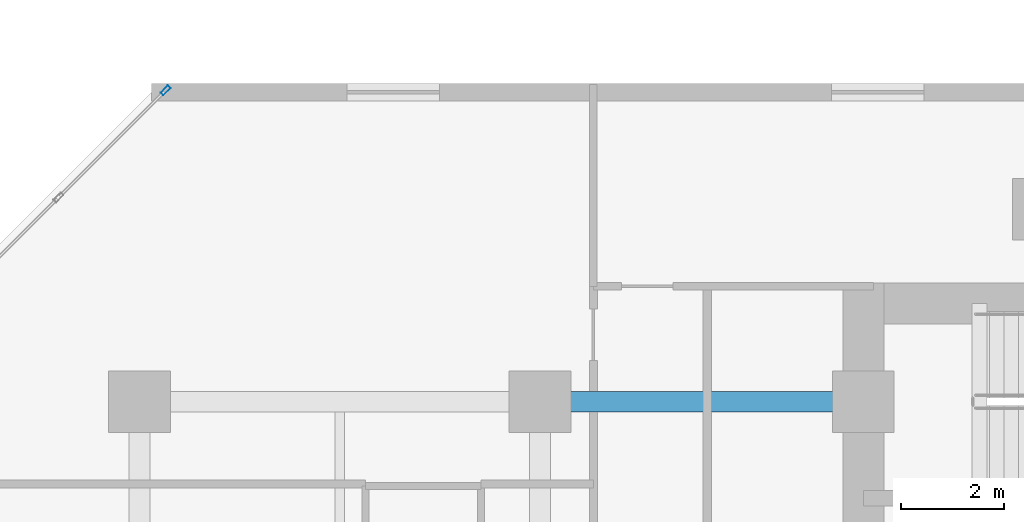
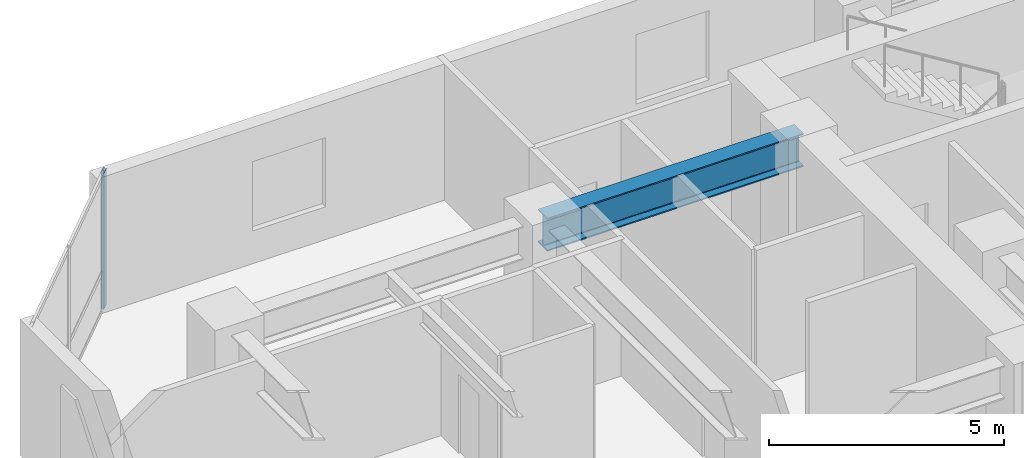
# One storey, part 4 of 13: 1 beam, 1 member, 1 element without a shape of its own.
"""IFC4 building model written with IfcOpenShell, lengths in metres."""

from ifc_helpers import new_model, si_unit, direction, frame, origin, origin_2d, place, context, subcontext, project, spatial, hollow_rectangle, i_section, extrude, material, layer, layer_set, material_profile, profile_set, type_object, element, aggregate, save


model = new_model("IFC4")

# Units and contexts
model_context = context("Model", 3, precision=1e-05, world=origin(), true_north=direction((0.0, 1.0)))
body_context = subcontext(model_context, "Body", "Model", "MODEL_VIEW")
ifc_project = project(units=[si_unit("LENGTHUNIT", "METRE"), si_unit("AREAUNIT", "SQUARE_METRE"), si_unit("VOLUMEUNIT", "CUBIC_METRE"), si_unit("PLANEANGLEUNIT", "RADIAN"), si_unit("MASSUNIT", "GRAM", prefix="KILO")], contexts=[model_context])

# Site, building, storey
site_placement = place(None, origin())
site = spatial("IfcSite", under=ifc_project, at=site_placement, CompositionType="ELEMENT")
building_placement = place(site_placement, origin())
building = spatial("IfcBuilding", under=site, at=building_placement, Name="Kestravale Grand Hotel", CompositionType="ELEMENT")
storey_placement = place(building_placement, frame((0.0, 0.0, 88.0)))
storey = spatial("IfcBuildingStorey", under=building, at=storey_placement, Name="L21", CompositionType="ELEMENT", Elevation=88.0)

# Beam
ifc_material_1 = material(Name="Steel ASTM A992 Grade 50", Category="steel")
ifc_material_profile_1 = material_profile(ifc_material_1, i_section(OverallWidth=0.40087890625, OverallDepth=0.861083984375, WebThickness=0.019775390625, FlangeThickness=0.032470703125, FilletRadius=0.0234375, at=origin_2d()))
ifc_profile_set_1 = profile_set([ifc_material_profile_1], Name="Steel ASTM A992 Grade 50")
beam_type = type_object("IfcBeamType", Name="B-GRD-W33", PredefinedType="BEAM", material=ifc_profile_set_1)
beam_placement = place(storey_placement, frame((15.60009765625, 38.39990234375, 3.109619140625), z_axis=(1.0, 0.0, 0.0), x_axis=(0.0, 1.0, 0.0)))
element("IfcBeam", 1, at=beam_placement, inside=storey, type_object=beam_type, Name="L21 girder F:3-CW", PredefinedType="BEAM", context=body_context, shape_type="SweptSolid", body=[
    extrude(i_section(OverallWidth=0.40087890625, OverallDepth=0.861083984375, WebThickness=0.019775390625, FlangeThickness=0.032470703125, FilletRadius=0.0234375, at=origin_2d()), origin(), (0.0, 0.0, 1.0), 6.2998046875),
])

# Curtain wall, member
ifc_material_2 = material(Name="Thermally broken champagne-bronze aluminium and low-E glazing", Category="aluminium")
ifc_layer = layer(ifc_material_2, 0.199951171875)
ifc_layer_set = layer_set([ifc_layer], Name="CW-Z2")
curtain_wall_type = type_object("IfcCurtainWallType", Name="CW-Z2", PredefinedType="NOTDEFINED", material=ifc_layer_set)
curtain_wall_placement = place(storey_placement, origin())
curtain_wall = element("IfcCurtainWall", 2, at=curtain_wall_placement, inside=storey, type_object=curtain_wall_type, Name="L21 unitised curtain wall 18", PredefinedType="NOTDEFINED")
ifc_material_3 = material(Name="Aluminium 6063-T6 anodised", Category="aluminium")
ifc_material_profile_2 = material_profile(ifc_material_3, hollow_rectangle(XDim=0.074951171875, YDim=0.199951171875, WallThickness=0.00390625, at=origin_2d()))
ifc_profile_set_2 = profile_set([ifc_material_profile_2], Name="Aluminium 6063-T6 anodised")
member_type = type_object("IfcMemberType", Name="CW-MUL-200", PredefinedType="MULLION", material=ifc_profile_set_2)
member_placement = place(storey_placement, frame((8.307861328125, 44.467529296875, 0.0), z_axis=(0.0, 0.0, 1.0), x_axis=(0.707106781187, -0.707106781187, 0.0)))
member = element("IfcMember", 3, at=member_placement, type_object=member_type, Name="CW-Z2 mullion 1", PredefinedType="MULLION", context=body_context, shape_type="SweptSolid", body=[
    extrude(hollow_rectangle(XDim=0.074951171875, YDim=0.199951171875, WallThickness=0.00390625, at=origin_2d()), origin(), (0.0, 0.0, 1.0), 3.5400390625),
])
aggregate(curtain_wall, [member])

save(model, "model.ifc")
